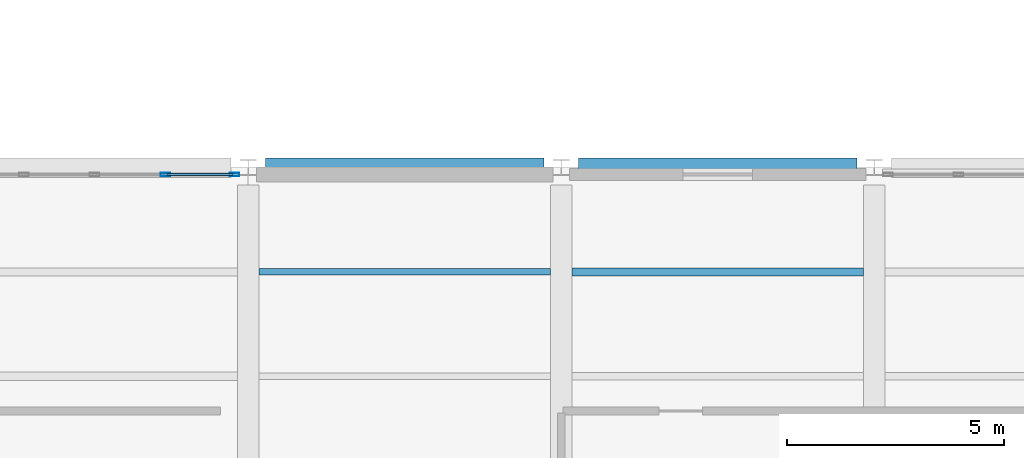
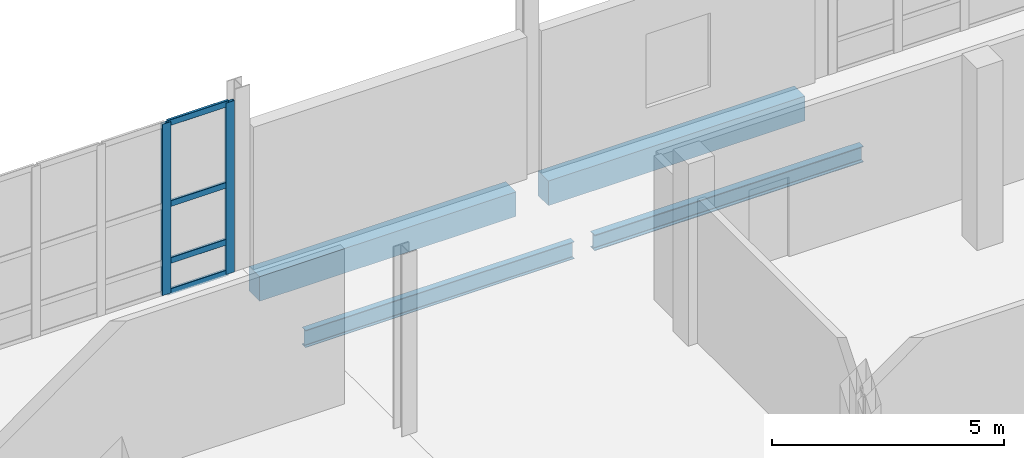
# One storey, part 41 of 127: 6 members, 4 beams, 1 element without a shape of its own.
"""IFC4 building model written with IfcOpenShell, lengths in metres."""

import ifcopenshell
import ifcopenshell.guid

model = None  # the IFC model being written
_history = None  # IfcOwnerHistory: only IFC2X3 demands one
_inside = {}  # id of a spatial element -> (the spatial element, [elements in it])
_under = {}  # id of a project, library or spatial element -> (it, [spatial elements below it])
_declared = {}  # id of a project -> (the project, [libraries it declares])
_typed = {}  # id of a type object -> (the type object, [elements of that type])
_made_of = {}  # id of a material, layer set ... -> (it, [elements and type objects made of it])


def new_model(schema):
    """Start an empty IFC model of exactly this schema.

    Asked for "IFC4X3", IfcOpenShell would pick the latest addendum, in which some entities
    have other attributes; the version numbers below select the first issue.
    IFC2X3 requires an IfcOwnerHistory on every rooted entity: one is made here for all.
    """
    global model, _history
    if schema == "IFC4X3":
        model = ifcopenshell.file(schema_version=(4, 3, 0, 0))
    else:
        model = ifcopenshell.file(schema=schema)
    _inside.clear()
    _under.clear()
    _declared.clear()
    _typed.clear()
    _made_of.clear()
    _history = None
    if model.schema == "IFC2X3":
        org = make("IfcOrganization", Name="unknown")
        user = make(
            "IfcPersonAndOrganization",
            ThePerson=make("IfcPerson", FamilyName="unknown"),
            TheOrganization=org,
        )
        app = make(
            "IfcApplication",
            ApplicationDeveloper=org,
            Version="unknown",
            ApplicationFullName="unknown",
            ApplicationIdentifier="unknown",
        )
        _history = make(
            "IfcOwnerHistory",
            OwningUser=user,
            OwningApplication=app,
            ChangeAction="ADDED",
            CreationDate=0,
        )
    return model


def make(cls, **values):
    """One entity of the class cls with the attributes given. An attribute that is None is left unset."""
    return model.create_entity(
        cls, **{name: value for name, value in values.items() if value is not None}
    )


def rooted(cls, **values):
    """An entity with a GlobalId (a new one), such as an element, a storey or a relation."""
    return make(cls, GlobalId=ifcopenshell.guid.new(), OwnerHistory=_history, **values)


def si_unit(unit_type, name, prefix=None):
    """IfcSIUnit, for example si_unit("LENGTHUNIT", "METRE", prefix="MILLI")."""
    return make("IfcSIUnit", UnitType=unit_type, Prefix=prefix, Name=name)


def assignment(units):
    """IfcUnitAssignment: the units of a project."""
    return None if units is None else make("IfcUnitAssignment", Units=units)


def point(xyz):
    """IfcCartesianPoint."""
    return None if xyz is None else make("IfcCartesianPoint", Coordinates=xyz)


def direction(xyz):
    """IfcDirection."""
    return None if xyz is None else make("IfcDirection", DirectionRatios=xyz)


def frame(location, z_axis=None, x_axis=None):
    """IfcAxis2Placement3D, a coordinate frame: its origin and axes. An axis left out is left unset."""
    return make(
        "IfcAxis2Placement3D",
        Location=point(location),
        Axis=direction(z_axis),
        RefDirection=direction(x_axis),
    )


def frame_2d(location, x_axis=None):
    """IfcAxis2Placement2D, a coordinate frame in the plane: its origin and x axis."""
    return make(
        "IfcAxis2Placement2D", Location=point(location), RefDirection=direction(x_axis)
    )


def origin():
    """The frame at (0, 0, 0) with its axes left unset."""
    return frame((0.0, 0.0, 0.0))


def origin_2d():
    """The frame at (0, 0) in the plane with its x axis left unset."""
    return frame_2d((0.0, 0.0))


def place(relative_to, where):
    """IfcLocalPlacement: puts the frame where relative to a parent placement (None: the world)."""
    return make(
        "IfcLocalPlacement", PlacementRelTo=relative_to, RelativePlacement=where
    )


def context(
    kind, dimensions, precision=None, world=None, true_north=None, identifier=None
):
    """IfcGeometricRepresentationContext, for example the 3D "Model" context."""
    return make(
        "IfcGeometricRepresentationContext",
        ContextIdentifier=identifier,
        ContextType=kind,
        CoordinateSpaceDimension=dimensions,
        Precision=precision,
        WorldCoordinateSystem=world,
        TrueNorth=true_north,
    )


def subcontext(parent, identifier, kind, view, scale=None):
    """IfcGeometricRepresentationSubContext, for example "Body" below "Model"."""
    return make(
        "IfcGeometricRepresentationSubContext",
        ContextIdentifier=identifier,
        ContextType=kind,
        ParentContext=parent,
        TargetScale=scale,
        TargetView=view,
    )


def project(units=None, contexts=None):
    """IfcProject with its units and contexts."""
    return rooted(
        "IfcProject",
        Name="project",
        RepresentationContexts=contexts,
        UnitsInContext=assignment(units),
    )


def spatial(cls, under=None, at=None, **own):
    """A site, building, storey or space (cls), placed at a placement, below another one or the project."""
    s = rooted(cls, ObjectPlacement=at, **own)
    if under is not None:
        _under.setdefault(under.id(), (under, []))[1].append(s)
    return s


def profile(cls, at=None, kind="AREA", **sizes):
    """A parametric profile (cls). Its sizes go by their IFC names, for example OverallWidth=200.0."""
    return make(cls, ProfileType=kind, Position=at, **sizes)


def rectangle(**sizes):
    """IfcRectangleProfileDef."""
    return profile("IfcRectangleProfileDef", **sizes)


def hollow_rectangle(**sizes):
    """IfcRectangleHollowProfileDef."""
    return profile("IfcRectangleHollowProfileDef", **sizes)


def i_section(**sizes):
    """IfcIShapeProfileDef."""
    return profile("IfcIShapeProfileDef", **sizes)


def extrude(swept, where, along, depth):
    """IfcExtrudedAreaSolid: the profile swept, set in the frame where, extruded along a direction by depth."""
    return make(
        "IfcExtrudedAreaSolid",
        SweptArea=swept,
        Position=where,
        ExtrudedDirection=direction(along),
        Depth=depth,
    )


def shape(context_of_items, identifier, shape_type, items):
    """IfcShapeRepresentation: the items that make up one representation, for example the "Body"."""
    return make(
        "IfcShapeRepresentation",
        ContextOfItems=context_of_items,
        RepresentationIdentifier=identifier,
        RepresentationType=shape_type,
        Items=items,
    )


def material(Name=None, Category=None):
    """IfcMaterial."""
    return make("IfcMaterial", Name=Name, Category=Category)


def material_profile(
    of_material, cross_section, Name=None, Category=None, Priority=None
):
    """IfcMaterialProfile: a cross section and its material."""
    return make(
        "IfcMaterialProfile",
        Name=Name,
        Material=of_material,
        Profile=cross_section,
        Priority=Priority,
        Category=Category,
    )


def profile_set(profiles, Name=None, composite=None):
    """IfcMaterialProfileSet."""
    return make(
        "IfcMaterialProfileSet",
        Name=Name,
        MaterialProfiles=profiles,
        CompositeProfile=composite,
    )


def made_of(thing, what):
    """Note that an element or type object is made of a material, layer set ...; save() writes the relation."""
    if what is not None:
        _made_of.setdefault(what.id(), (what, []))[1].append(thing)
    return thing


def type_object(cls, material=None, **own):
    """A type object (cls), such as IfcWallType, which elements share."""
    return made_of(rooted(cls, **own), material)


def element(
    cls,
    number,
    at=None,
    inside=None,
    cuts=None,
    type_object=None,
    material=None,
    context=None,
    identifier="Body",
    shape_type=None,
    held_by="IfcProductDefinitionShape",
    body=None,
    shapes=None,
    **own,
):
    """One element of the class cls, such as IfcWall. Its Tag is "e" and its number.

    at: its placement. inside: the storey or other place that contains it. cuts: it is an
    opening in that element (IfcRelVoidsElement). A single representation is given by context,
    identifier, shape_type and body (its items); several are given by shapes. held_by: the class
    of the entity that holds the representations. save() writes the other relations.
    """
    e = rooted(cls, Tag="e%d" % number, ObjectPlacement=at, **own)
    if body is not None:
        shapes = [shape(context, identifier, shape_type, body)]
    if shapes is not None:
        e.Representation = make(held_by, Representations=shapes)
    if inside is not None:
        _inside.setdefault(inside.id(), (inside, []))[1].append(e)
    if cuts is not None:
        rooted(
            "IfcRelVoidsElement", RelatingBuildingElement=cuts, RelatedOpeningElement=e
        )
    if type_object is not None:
        _typed.setdefault(type_object.id(), (type_object, []))[1].append(e)
    return made_of(e, material)


def aggregate(whole, parts):
    """IfcRelAggregates: a whole, such as a stair, and the parts it consists of."""
    return rooted("IfcRelAggregates", RelatingObject=whole, RelatedObjects=parts)


def save(model, path):
    """Write the relations noted so far, then the file.

    IfcRelAggregates (storeys below a building ...), IfcRelContainedInSpatialStructure (elements
    in a storey), IfcRelDefinesByType, IfcRelAssociatesMaterial and IfcRelDeclares: one each for
    every whole, place, type object, material and project.
    """
    for whole, parts in _under.values():
        aggregate(whole, parts)
    for where, things in _inside.values():
        rooted(
            "IfcRelContainedInSpatialStructure",
            RelatedElements=things,
            RelatingStructure=where,
        )
    for kind, things in _typed.values():
        rooted("IfcRelDefinesByType", RelatedObjects=things, RelatingType=kind)
    for what, things in _made_of.values():
        rooted("IfcRelAssociatesMaterial", RelatedObjects=things, RelatingMaterial=what)
    for by, libraries in _declared.values():
        rooted("IfcRelDeclares", RelatingContext=by, RelatedDefinitions=libraries)
    model.write(path)


model = new_model("IFC4")

# Units and contexts
model_context = context("Model", 3, precision=1e-05, world=origin(), true_north=direction((0.0, 1.0)))
body_context = subcontext(model_context, "Body", "Model", "MODEL_VIEW")
ifc_project = project(units=[si_unit("LENGTHUNIT", "METRE"), si_unit("AREAUNIT", "SQUARE_METRE"), si_unit("VOLUMEUNIT", "CUBIC_METRE"), si_unit("PLANEANGLEUNIT", "RADIAN"), si_unit("MASSUNIT", "GRAM", prefix="KILO")], contexts=[model_context])

# Site, building, storey
site_placement = place(None, origin())
site = spatial("IfcSite", under=ifc_project, at=site_placement, CompositionType="ELEMENT")
building_placement = place(site_placement, origin())
building = spatial("IfcBuilding", under=site, at=building_placement, Name="Kalmorath City Hall", CompositionType="ELEMENT")
storey_placement = place(building_placement, frame((0.0, 0.0, 5.39990234375)))
storey = spatial("IfcBuildingStorey", under=building, at=storey_placement, Name="L01", CompositionType="ELEMENT", Elevation=5.39990234375)

# Beams
ifc_material_1 = material(Name="Concrete C40/50", Category="concrete")
ifc_material_profile_1 = material_profile(ifc_material_1, rectangle(XDim=0.449951171875, YDim=0.64990234375, at=origin_2d()), Name="RC-BM-450X650")
ifc_profile_set_1 = profile_set([ifc_material_profile_1], Name="Concrete C40/50")
beam_type_1 = type_object("IfcBeamType", Name="Concrete spandrel beam 450x650", PredefinedType="SPANDREL", material=ifc_profile_set_1)
for number, where, z_axis, x_axis, name in (
    (1, (115.60009765625, 43.199951171875, -0.64892578125), (1.0, 0.0, 0.0), (0.0, 1.0, 0.0), "L01 girder CB5 X17-18/7"),
    (2, (122.800048828125, 43.199951171875, -0.64892578125), (1.0, 0.0, 0.0), (0.0, 1.0, 0.0), "L01 girder CB5 X18-19/7"),
):
    element("IfcBeam", number, at=place(storey_placement, frame(where, z_axis=z_axis, x_axis=x_axis)), inside=storey, type_object=beam_type_1, Name=name, PredefinedType="SPANDREL", context=body_context, shape_type="SweptSolid", body=[
        extrude(rectangle(XDim=0.449951171875, YDim=0.64990234375, at=origin_2d()), origin(), (0.0, 0.0, 1.0), 6.39990234375),
    ])

# Curtain wall, members
ifc_material_2 = material(Name="Anodised aluminium and laminated glass", Category="aluminium")
curtain_wall_type = type_object("IfcCurtainWallType", Name="Unitised hurricane curtain wall 6508x4520 M1500", PredefinedType="NOTDEFINED", material=ifc_material_2)
curtain_wall_placement = place(storey_placement, origin())
curtain_wall = element("IfcCurtainWall", 3, at=curtain_wall_placement, inside=storey, type_object=curtain_wall_type, Name="L01 curtain wall CW-65X45M15 #92", PredefinedType="NOTDEFINED")
ifc_material_3 = material(Name="Anodised aluminium framing", Category="aluminium")
ifc_material_profile_2 = material_profile(ifc_material_3, hollow_rectangle(XDim=0.074951171875, YDim=0.219970703125, WallThickness=0.00390625, InnerFilletRadius=0.00390625, OuterFilletRadius=0.008056640625, at=origin_2d()), Name="ALU-MUL-220X75X4")
ifc_profile_set_2 = profile_set([ifc_material_profile_2], Name="Anodised aluminium framing")
member_type_1 = type_object("IfcMemberType", Name="Curtain-wall primary mullion 220x75", PredefinedType="MULLION", material=ifc_profile_set_2)
member_1_placement = place(storey_placement, frame((113.2958984375, 43.0400390625, 0.0), z_axis=(0.0, 0.0, 1.0), x_axis=(0.0, 1.0, 0.0)))
member_1 = element("IfcMember", 4, at=member_1_placement, type_object=member_type_1, Name="CW-65X45M15 mullion 4", PredefinedType="MULLION", context=body_context, shape_type="SweptSolid", body=[
    extrude(hollow_rectangle(XDim=0.074951171875, YDim=0.219970703125, WallThickness=0.00390625, InnerFilletRadius=0.00390625, OuterFilletRadius=0.008056640625, at=origin_2d()), origin(), (0.0, 0.0, 1.0), 4.52001953125),
])
member_2_placement = place(storey_placement, frame((114.885498046875, 43.0400390625, 0.0), z_axis=(0.0, 0.0, 1.0), x_axis=(0.0, 1.0, 0.0)))
member_2 = element("IfcMember", 5, at=member_2_placement, type_object=member_type_1, Name="CW-65X45M15 mullion 5", PredefinedType="MULLION", context=body_context, shape_type="SweptSolid", body=[
    extrude(hollow_rectangle(XDim=0.074951171875, YDim=0.219970703125, WallThickness=0.00390625, InnerFilletRadius=0.00390625, OuterFilletRadius=0.008056640625, at=origin_2d()), origin(), (0.0, 0.0, 1.0), 4.52001953125),
])
ifc_material_4 = material(Name="Anodised aluminium framing", Category="aluminium")
ifc_material_profile_3 = material_profile(ifc_material_4, hollow_rectangle(XDim=0.06494140625, YDim=0.159912109375, WallThickness=0.00390625, InnerFilletRadius=0.00390625, OuterFilletRadius=0.008056640625, at=origin_2d()), Name="ALU-TRN-160X65X4")
ifc_profile_set_3 = profile_set([ifc_material_profile_3], Name="Anodised aluminium framing")
member_type_2 = type_object("IfcMemberType", Name="Curtain-wall primary transom 160x65", PredefinedType="USERDEFINED", material=ifc_profile_set_3)
member_3_placement = place(storey_placement, frame((113.33349609375, 43.0400390625, 0.03271484375), z_axis=(1.0, 0.0, 0.0), x_axis=(0.0, 1.0, 0.0)))
member_3 = element("IfcMember", 6, at=member_3_placement, type_object=member_type_2, Name="CW-65X45M15 transom 4.1", ObjectType="TRANSOM", PredefinedType="USERDEFINED", context=body_context, shape_type="SweptSolid", body=[
    extrude(hollow_rectangle(XDim=0.06494140625, YDim=0.159912109375, WallThickness=0.00390625, InnerFilletRadius=0.00390625, OuterFilletRadius=0.008056640625, at=origin_2d()), origin(), (0.0, 0.0, 1.0), 1.514404296875),
])
member_4_placement = place(storey_placement, frame((113.33349609375, 43.0400390625, 0.85009765625), z_axis=(1.0, 0.0, 0.0), x_axis=(0.0, 1.0, 0.0)))
member_4 = element("IfcMember", 7, at=member_4_placement, type_object=member_type_2, Name="CW-65X45M15 transom 4.2", ObjectType="TRANSOM", PredefinedType="USERDEFINED", context=body_context, shape_type="SweptSolid", body=[
    extrude(hollow_rectangle(XDim=0.06494140625, YDim=0.159912109375, WallThickness=0.00390625, InnerFilletRadius=0.00390625, OuterFilletRadius=0.008056640625, at=origin_2d()), origin(), (0.0, 0.0, 1.0), 1.514404296875),
])
member_5_placement = place(storey_placement, frame((113.33349609375, 43.0400390625, 2.35009765625), z_axis=(1.0, 0.0, 0.0), x_axis=(0.0, 1.0, 0.0)))
member_5 = element("IfcMember", 8, at=member_5_placement, type_object=member_type_2, Name="CW-65X45M15 transom 4.3", ObjectType="TRANSOM", PredefinedType="USERDEFINED", context=body_context, shape_type="SweptSolid", body=[
    extrude(hollow_rectangle(XDim=0.06494140625, YDim=0.159912109375, WallThickness=0.00390625, InnerFilletRadius=0.00390625, OuterFilletRadius=0.008056640625, at=origin_2d()), origin(), (0.0, 0.0, 1.0), 1.514404296875),
])
member_6_placement = place(storey_placement, frame((113.33349609375, 43.0400390625, 4.487548828125), z_axis=(1.0, 0.0, 0.0), x_axis=(0.0, 1.0, 0.0)))
member_6 = element("IfcMember", 9, at=member_6_placement, type_object=member_type_2, Name="CW-65X45M15 transom 4.4", ObjectType="TRANSOM", PredefinedType="USERDEFINED", context=body_context, shape_type="SweptSolid", body=[
    extrude(hollow_rectangle(XDim=0.06494140625, YDim=0.159912109375, WallThickness=0.00390625, InnerFilletRadius=0.00390625, OuterFilletRadius=0.008056640625, at=origin_2d()), origin(), (0.0, 0.0, 1.0), 1.514404296875),
])
aggregate(curtain_wall, [member_1, member_2, member_3, member_4, member_5, member_6])

# Beams
ifc_material_5 = material(Name="Steel ASTM A992 Grade 50", Category="steel")
ifc_material_profile_4 = material_profile(ifc_material_5, i_section(OverallWidth=0.180908203125, OverallDepth=0.4169921875, WebThickness=0.010986328125, FlangeThickness=0.018310546875, FilletRadius=0.012939453125, at=origin_2d()), Name="W16X57")
ifc_profile_set_4 = profile_set([ifc_material_profile_4], Name="Steel ASTM A992 Grade 50")
beam_type_2 = type_object("IfcBeamType", Name="Steel composite joist W16X57", PredefinedType="JOIST", material=ifc_profile_set_4)
beam_1_placement = place(storey_placement, frame((122.64990234375, 40.800048828125, -0.532470703125), z_axis=(1.0, 0.0, 0.0), x_axis=(0.0, 1.0, 0.0)))
element("IfcBeam", 10, at=beam_1_placement, inside=storey, type_object=beam_type_2, Name="L01 joist SJ5 18.6.2", PredefinedType="JOIST", context=body_context, shape_type="SweptSolid", body=[
    extrude(i_section(OverallWidth=0.180908203125, OverallDepth=0.4169921875, WebThickness=0.010986328125, FlangeThickness=0.018310546875, FilletRadius=0.012939453125, at=origin_2d()), origin(), (0.0, 0.0, 1.0), 6.7001953125),
])
ifc_material_6 = material(Name="Steel ASTM A992 Grade 50", Category="steel")
ifc_material_profile_5 = material_profile(ifc_material_6, i_section(OverallWidth=0.153076171875, OverallDepth=0.455078125, WebThickness=0.008056640625, FlangeThickness=0.01318359375, FilletRadius=0.013916015625, at=origin_2d()), Name="W18X40")
ifc_profile_set_5 = profile_set([ifc_material_profile_5], Name="Steel ASTM A992 Grade 50")
beam_type_3 = type_object("IfcBeamType", Name="Steel composite joist W18X40", PredefinedType="JOIST", material=ifc_profile_set_5)
beam_2_placement = place(storey_placement, frame((115.449951171875, 40.800048828125, -0.551513671875), z_axis=(1.0, 0.0, 0.0), x_axis=(0.0, 1.0, 0.0)))
element("IfcBeam", 11, at=beam_2_placement, inside=storey, type_object=beam_type_3, Name="L01 joist SJ4 17.6.2", PredefinedType="JOIST", context=body_context, shape_type="SweptSolid", body=[
    extrude(i_section(OverallWidth=0.153076171875, OverallDepth=0.455078125, WebThickness=0.008056640625, FlangeThickness=0.01318359375, FilletRadius=0.013916015625, at=origin_2d()), origin(), (0.0, 0.0, 1.0), 6.699951171875),
])

save(model, "model.ifc")
